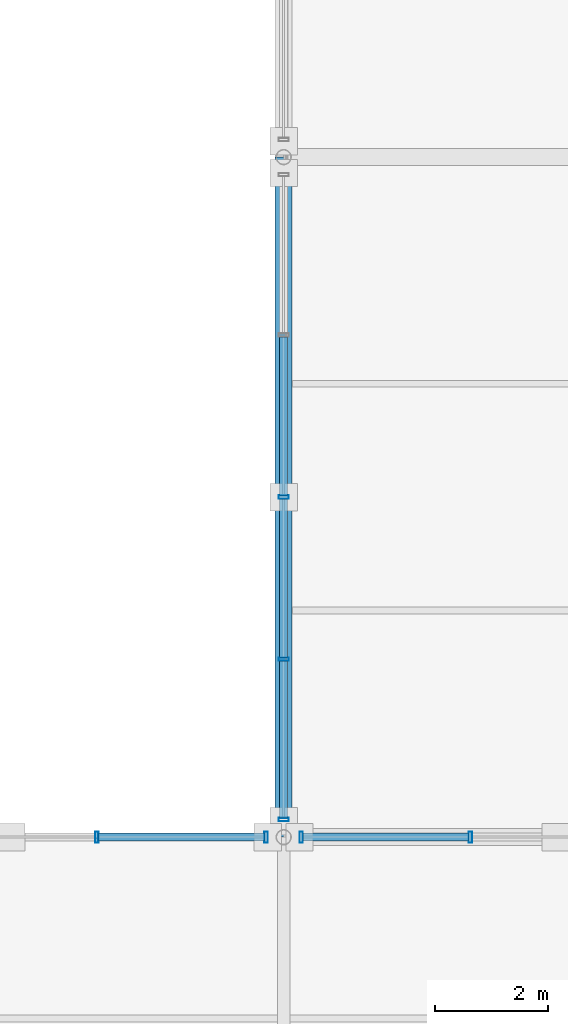
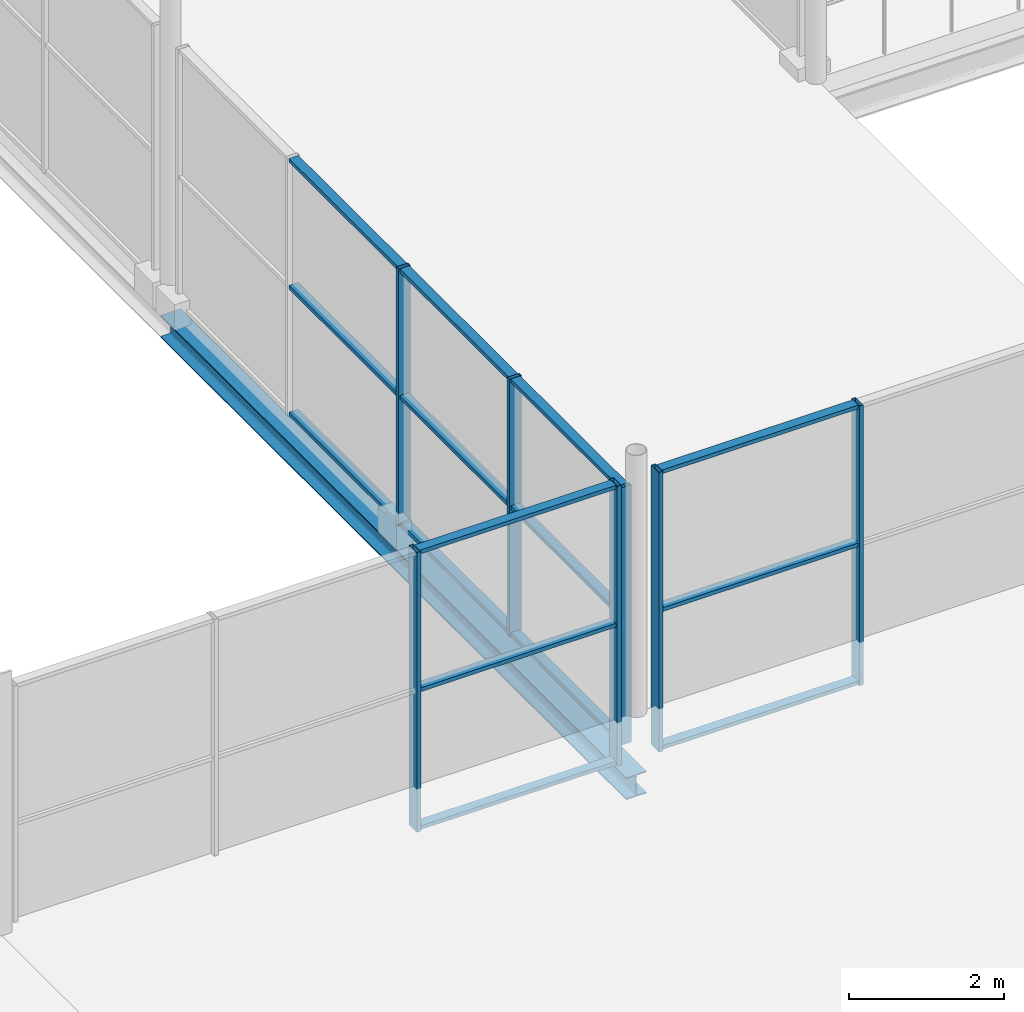
# One storey, part 44 of 159: 22 members, 1 beam, 3 elements without a shape of their own.
"""IFC4 building model written with IfcOpenShell, lengths in metres."""

from ifc_helpers import new_model, si_unit, direction, frame, origin, origin_2d, place, context, subcontext, project, spatial, hollow_rectangle, i_section, extrude, material, material_profile, profile_set, type_object, element, aggregate, save


model = new_model("IFC4")

# Units and contexts
model_context = context("Model", 3, precision=1e-05, world=origin(), true_north=direction((0.0, 1.0)))
body_context = subcontext(model_context, "Body", "Model", "MODEL_VIEW")
ifc_project = project(units=[si_unit("LENGTHUNIT", "METRE"), si_unit("AREAUNIT", "SQUARE_METRE"), si_unit("VOLUMEUNIT", "CUBIC_METRE"), si_unit("PLANEANGLEUNIT", "RADIAN"), si_unit("MASSUNIT", "GRAM", prefix="KILO")], contexts=[model_context])

# Site, building, storey
site_placement = place(None, origin())
site = spatial("IfcSite", under=ifc_project, at=site_placement, CompositionType="ELEMENT")
building_placement = place(site_placement, origin())
building = spatial("IfcBuilding", under=site, at=building_placement, Name="Merenkruunu Market Hall", CompositionType="ELEMENT")
storey_placement = place(building_placement, frame((0.0, 0.0, 5.39990234375)))
storey = spatial("IfcBuildingStorey", under=building, at=storey_placement, Name="L01", CompositionType="ELEMENT", Elevation=5.39990234375)

# Curtain wall, members
ifc_material_1 = material(Name="Powder-coated aluminium", Category="aluminium")
curtain_wall_type_1 = type_object("IfcCurtainWallType", Name="Glazed Curtain Wall CW16", PredefinedType="USERDEFINED", material=ifc_material_1)
curtain_wall_1_placement = place(storey_placement, origin())
curtain_wall_1 = element("IfcCurtainWall", 1, at=curtain_wall_1_placement, inside=storey, type_object=curtain_wall_type_1, Name="CW-L01-CWM02-169", ObjectType="GLAZED_FACADE", PredefinedType="USERDEFINED")
ifc_material_profile_1 = material_profile(ifc_material_1, hollow_rectangle(XDim=0.06005859375, YDim=0.179931640625, WallThickness=0.00390625, at=origin_2d()), Name="ALU 60x180x4")
ifc_profile_set_1 = profile_set([ifc_material_profile_1], Name="Powder-coated aluminium")
member_type_1 = type_object("IfcMemberType", Name="Curtain Wall Mullion CWM02", PredefinedType="MULLION", material=ifc_profile_set_1)
member_1_placement = place(storey_placement, frame((67.199951171875, 15.909912109375, 0.0), z_axis=(0.0, 0.0, 1.0), x_axis=(0.0, 1.0, 0.0)))
member_1 = element("IfcMember", 2, at=member_1_placement, type_object=member_type_1, Name="CW16 mullion 1", PredefinedType="MULLION", context=body_context, shape_type="SweptSolid", body=[
    extrude(hollow_rectangle(XDim=0.06005859375, YDim=0.179931640625, WallThickness=0.00390625, at=origin_2d()), origin(), (0.0, 0.0, 1.0), 4.050048828125),
])
member_2_placement = place(storey_placement, frame((67.199951171875, 18.739990234375, 0.0), z_axis=(0.0, 0.0, 1.0), x_axis=(0.0, 1.0, 0.0)))
member_2 = element("IfcMember", 3, at=member_2_placement, type_object=member_type_1, Name="CW16 mullion 2", PredefinedType="MULLION", context=body_context, shape_type="SweptSolid", body=[
    extrude(hollow_rectangle(XDim=0.06005859375, YDim=0.179931640625, WallThickness=0.00390625, at=origin_2d()), origin(), (0.0, 0.0, 1.0), 4.050048828125),
])
member_3_placement = place(storey_placement, frame((67.199951171875, 21.60009765625, 0.0), z_axis=(0.0, 0.0, 1.0), x_axis=(0.0, 1.0, 0.0)))
member_3 = element("IfcMember", 4, at=member_3_placement, type_object=member_type_1, Name="CW16 mullion 3", PredefinedType="MULLION", context=body_context, shape_type="SweptSolid", body=[
    extrude(hollow_rectangle(XDim=0.06005859375, YDim=0.179931640625, WallThickness=0.00390625, at=origin_2d()), origin(), (0.0, 0.0, 1.0), 4.050048828125),
])

curtain_wall_type_2 = type_object("IfcCurtainWallType", Name="Glazed Curtain Wall CW03", PredefinedType="USERDEFINED", material=ifc_material_1)
curtain_wall_2_placement = place(storey_placement, origin())
curtain_wall_2 = element("IfcCurtainWall", 5, at=curtain_wall_2_placement, inside=storey, type_object=curtain_wall_type_2, Name="CW-L01-CWM03-140", ObjectType="GLAZED_FACADE", PredefinedType="USERDEFINED")
ifc_material_profile_2 = material_profile(ifc_material_1, hollow_rectangle(XDim=0.06005859375, YDim=0.199951171875, WallThickness=0.0048828125, at=origin_2d()), Name="ALU 60x200x5")
ifc_profile_set_2 = profile_set([ifc_material_profile_2], Name="Powder-coated aluminium")
member_type_2 = type_object("IfcMemberType", Name="Curtain Wall Mullion CWM03", PredefinedType="MULLION", material=ifc_profile_set_2)
member_4_placement = place(storey_placement, frame((66.889892578125, 15.60009765625, 0.0), z_axis=(0.0, 0.0, 1.0), x_axis=(-1.0, 0.0, 0.0)))
member_4 = element("IfcMember", 6, at=member_4_placement, type_object=member_type_2, Name="CW03 mullion 1", PredefinedType="MULLION", context=body_context, shape_type="SweptSolid", body=[
    extrude(hollow_rectangle(XDim=0.06005859375, YDim=0.199951171875, WallThickness=0.0048828125, at=origin_2d()), origin(), (0.0, 0.0, 1.0), 4.400146484375),
])
member_5_placement = place(storey_placement, frame((63.90673828125, 15.60009765625, 0.0), z_axis=(0.0, 0.0, 1.0), x_axis=(-1.0, 0.0, 0.0)))
member_5 = element("IfcMember", 7, at=member_5_placement, type_object=member_type_2, Name="CW03 mullion 2", PredefinedType="MULLION", context=body_context, shape_type="SweptSolid", body=[
    extrude(hollow_rectangle(XDim=0.06005859375, YDim=0.199951171875, WallThickness=0.0048828125, at=origin_2d()), origin(), (0.0, 0.0, 1.0), 4.400146484375),
])

curtain_wall_3_placement = place(storey_placement, origin())
curtain_wall_3 = element("IfcCurtainWall", 8, at=curtain_wall_3_placement, inside=storey, type_object=curtain_wall_type_2, Name="CW-L01-CWM03-146", ObjectType="GLAZED_FACADE", PredefinedType="USERDEFINED")
member_6_placement = place(storey_placement, frame((70.493408203125, 15.60009765625, 0.0), z_axis=(0.0, 0.0, 1.0), x_axis=(-1.0, 0.0, 0.0)))
member_6 = element("IfcMember", 9, at=member_6_placement, type_object=member_type_2, Name="CW03 mullion 3", PredefinedType="MULLION", context=body_context, shape_type="SweptSolid", body=[
    extrude(hollow_rectangle(XDim=0.06005859375, YDim=0.199951171875, WallThickness=0.0048828125, at=origin_2d()), origin(), (0.0, 0.0, 1.0), 4.400146484375),
])
member_7_placement = place(storey_placement, frame((67.510009765625, 15.60009765625, 0.0), z_axis=(0.0, 0.0, 1.0), x_axis=(-1.0, 0.0, 0.0)))
member_7 = element("IfcMember", 10, at=member_7_placement, type_object=member_type_2, Name="CW03 mullion 4", PredefinedType="MULLION", context=body_context, shape_type="SweptSolid", body=[
    extrude(hollow_rectangle(XDim=0.06005859375, YDim=0.199951171875, WallThickness=0.0048828125, at=origin_2d()), origin(), (0.0, 0.0, 1.0), 4.400146484375),
])

# Member
ifc_material_profile_3 = material_profile(ifc_material_1, hollow_rectangle(XDim=0.06005859375, YDim=0.139892578125, WallThickness=0.00390625, at=origin_2d()), Name="ALU 60x140x4")
ifc_profile_set_3 = profile_set([ifc_material_profile_3], Name="Powder-coated aluminium")
member_type_3 = type_object("IfcMemberType", Name="Curtain Wall Transom CWT02", PredefinedType="USERDEFINED", material=ifc_profile_set_3)
member_8_placement = place(storey_placement, frame((66.860107421875, 15.60009765625, 0.030029296875), z_axis=(-1.0, 0.0, 0.0), x_axis=(0.0, 0.0, 1.0)))
member_8 = element("IfcMember", 11, at=member_8_placement, type_object=member_type_3, Name="CW03 transom 1.1", ObjectType="TRANSOM", PredefinedType="USERDEFINED", context=body_context, shape_type="SweptSolid", body=[
    extrude(hollow_rectangle(XDim=0.06005859375, YDim=0.139892578125, WallThickness=0.00390625, at=origin_2d()), origin(), (0.0, 0.0, 1.0), 2.92333984375),
])

member_9_placement = place(storey_placement, frame((66.860107421875, 15.60009765625, 2.2001953125), z_axis=(-1.0, 0.0, 0.0), x_axis=(0.0, 0.0, 1.0)))
member_9 = element("IfcMember", 12, at=member_9_placement, type_object=member_type_3, Name="CW03 transom 1.2", ObjectType="TRANSOM", PredefinedType="USERDEFINED", context=body_context, shape_type="SweptSolid", body=[
    extrude(hollow_rectangle(XDim=0.06005859375, YDim=0.139892578125, WallThickness=0.00390625, at=origin_2d()), origin(), (0.0, 0.0, 1.0), 2.92333984375),
])

member_10_placement = place(storey_placement, frame((66.860107421875, 15.60009765625, 4.3701171875), z_axis=(-1.0, 0.0, 0.0), x_axis=(0.0, 0.0, 1.0)))
member_10 = element("IfcMember", 13, at=member_10_placement, type_object=member_type_3, Name="CW03 transom 1.3", ObjectType="TRANSOM", PredefinedType="USERDEFINED", context=body_context, shape_type="SweptSolid", body=[
    extrude(hollow_rectangle(XDim=0.06005859375, YDim=0.139892578125, WallThickness=0.00390625, at=origin_2d()), origin(), (0.0, 0.0, 1.0), 2.92333984375),
])

aggregate(curtain_wall_2, [member_4, member_5, member_8, member_9, member_10])

member_11_placement = place(storey_placement, frame((70.46337890625, 15.60009765625, 0.030029296875), z_axis=(-1.0, 0.0, 0.0), x_axis=(0.0, 0.0, 1.0)))
member_11 = element("IfcMember", 14, at=member_11_placement, type_object=member_type_3, Name="CW03 transom 3.1", ObjectType="TRANSOM", PredefinedType="USERDEFINED", context=body_context, shape_type="SweptSolid", body=[
    extrude(hollow_rectangle(XDim=0.06005859375, YDim=0.139892578125, WallThickness=0.00390625, at=origin_2d()), origin(), (0.0, 0.0, 1.0), 2.92333984375),
])

member_12_placement = place(storey_placement, frame((70.46337890625, 15.60009765625, 2.2001953125), z_axis=(-1.0, 0.0, 0.0), x_axis=(0.0, 0.0, 1.0)))
member_12 = element("IfcMember", 15, at=member_12_placement, type_object=member_type_3, Name="CW03 transom 3.2", ObjectType="TRANSOM", PredefinedType="USERDEFINED", context=body_context, shape_type="SweptSolid", body=[
    extrude(hollow_rectangle(XDim=0.06005859375, YDim=0.139892578125, WallThickness=0.00390625, at=origin_2d()), origin(), (0.0, 0.0, 1.0), 2.92333984375),
])

member_13_placement = place(storey_placement, frame((70.46337890625, 15.60009765625, 4.3701171875), z_axis=(-1.0, 0.0, 0.0), x_axis=(0.0, 0.0, 1.0)))
member_13 = element("IfcMember", 16, at=member_13_placement, type_object=member_type_3, Name="CW03 transom 3.3", ObjectType="TRANSOM", PredefinedType="USERDEFINED", context=body_context, shape_type="SweptSolid", body=[
    extrude(hollow_rectangle(XDim=0.06005859375, YDim=0.139892578125, WallThickness=0.00390625, at=origin_2d()), origin(), (0.0, 0.0, 1.0), 2.92333984375),
])

aggregate(curtain_wall_3, [member_6, member_7, member_11, member_12, member_13])

member_14_placement = place(storey_placement, frame((67.199951171875, 15.93994140625, 0.030029296875), z_axis=(0.0, 1.0, 0.0), x_axis=(0.0, 0.0, 1.0)))
member_14 = element("IfcMember", 17, at=member_14_placement, type_object=member_type_3, Name="CW16 transom 1.1", ObjectType="TRANSOM", PredefinedType="USERDEFINED", context=body_context, shape_type="SweptSolid", body=[
    extrude(hollow_rectangle(XDim=0.06005859375, YDim=0.139892578125, WallThickness=0.00390625, at=origin_2d()), origin(), (0.0, 0.0, 1.0), 2.77001953125),
])

member_15_placement = place(storey_placement, frame((67.199951171875, 15.93994140625, 2.025146484375), z_axis=(0.0, 1.0, 0.0), x_axis=(0.0, 0.0, 1.0)))
member_15 = element("IfcMember", 18, at=member_15_placement, type_object=member_type_3, Name="CW16 transom 1.2", ObjectType="TRANSOM", PredefinedType="USERDEFINED", context=body_context, shape_type="SweptSolid", body=[
    extrude(hollow_rectangle(XDim=0.06005859375, YDim=0.139892578125, WallThickness=0.00390625, at=origin_2d()), origin(), (0.0, 0.0, 1.0), 2.77001953125),
])

member_16_placement = place(storey_placement, frame((67.199951171875, 15.93994140625, 4.02001953125), z_axis=(0.0, 1.0, 0.0), x_axis=(0.0, 0.0, 1.0)))
member_16 = element("IfcMember", 19, at=member_16_placement, type_object=member_type_3, Name="CW16 transom 1.3", ObjectType="TRANSOM", PredefinedType="USERDEFINED", context=body_context, shape_type="SweptSolid", body=[
    extrude(hollow_rectangle(XDim=0.06005859375, YDim=0.139892578125, WallThickness=0.00390625, at=origin_2d()), origin(), (0.0, 0.0, 1.0), 2.77001953125),
])

member_17_placement = place(storey_placement, frame((67.199951171875, 18.77001953125, 0.030029296875), z_axis=(0.0, 1.0, 0.0), x_axis=(0.0, 0.0, 1.0)))
member_17 = element("IfcMember", 20, at=member_17_placement, type_object=member_type_3, Name="CW16 transom 2.1", ObjectType="TRANSOM", PredefinedType="USERDEFINED", context=body_context, shape_type="SweptSolid", body=[
    extrude(hollow_rectangle(XDim=0.06005859375, YDim=0.139892578125, WallThickness=0.00390625, at=origin_2d()), origin(), (0.0, 0.0, 1.0), 2.800048828125),
])

member_18_placement = place(storey_placement, frame((67.199951171875, 18.77001953125, 2.025146484375), z_axis=(0.0, 1.0, 0.0), x_axis=(0.0, 0.0, 1.0)))
member_18 = element("IfcMember", 21, at=member_18_placement, type_object=member_type_3, Name="CW16 transom 2.2", ObjectType="TRANSOM", PredefinedType="USERDEFINED", context=body_context, shape_type="SweptSolid", body=[
    extrude(hollow_rectangle(XDim=0.06005859375, YDim=0.139892578125, WallThickness=0.00390625, at=origin_2d()), origin(), (0.0, 0.0, 1.0), 2.800048828125),
])

member_19_placement = place(storey_placement, frame((67.199951171875, 18.77001953125, 4.02001953125), z_axis=(0.0, 1.0, 0.0), x_axis=(0.0, 0.0, 1.0)))
member_19 = element("IfcMember", 22, at=member_19_placement, type_object=member_type_3, Name="CW16 transom 2.3", ObjectType="TRANSOM", PredefinedType="USERDEFINED", context=body_context, shape_type="SweptSolid", body=[
    extrude(hollow_rectangle(XDim=0.06005859375, YDim=0.139892578125, WallThickness=0.00390625, at=origin_2d()), origin(), (0.0, 0.0, 1.0), 2.800048828125),
])

member_20_placement = place(storey_placement, frame((67.199951171875, 21.6298828125, 0.030029296875), z_axis=(0.0, 1.0, 0.0), x_axis=(0.0, 0.0, 1.0)))
member_20 = element("IfcMember", 23, at=member_20_placement, type_object=member_type_3, Name="CW16 transom 3.1", ObjectType="TRANSOM", PredefinedType="USERDEFINED", context=body_context, shape_type="SweptSolid", body=[
    extrude(hollow_rectangle(XDim=0.06005859375, YDim=0.139892578125, WallThickness=0.00390625, at=origin_2d()), origin(), (0.0, 0.0, 1.0), 2.800048828125),
])

member_21_placement = place(storey_placement, frame((67.199951171875, 21.6298828125, 2.025146484375), z_axis=(0.0, 1.0, 0.0), x_axis=(0.0, 0.0, 1.0)))
member_21 = element("IfcMember", 24, at=member_21_placement, type_object=member_type_3, Name="CW16 transom 3.2", ObjectType="TRANSOM", PredefinedType="USERDEFINED", context=body_context, shape_type="SweptSolid", body=[
    extrude(hollow_rectangle(XDim=0.06005859375, YDim=0.139892578125, WallThickness=0.00390625, at=origin_2d()), origin(), (0.0, 0.0, 1.0), 2.800048828125),
])

member_22_placement = place(storey_placement, frame((67.199951171875, 21.6298828125, 4.02001953125), z_axis=(0.0, 1.0, 0.0), x_axis=(0.0, 0.0, 1.0)))
member_22 = element("IfcMember", 25, at=member_22_placement, type_object=member_type_3, Name="CW16 transom 3.3", ObjectType="TRANSOM", PredefinedType="USERDEFINED", context=body_context, shape_type="SweptSolid", body=[
    extrude(hollow_rectangle(XDim=0.06005859375, YDim=0.139892578125, WallThickness=0.00390625, at=origin_2d()), origin(), (0.0, 0.0, 1.0), 2.800048828125),
])

aggregate(curtain_wall_1, [member_1, member_2, member_3, member_14, member_15, member_16, member_17, member_18, member_19, member_20, member_21, member_22])

# Beam
ifc_material_2 = material(Name="Steel S355J2", Category="steel")
ifc_material_profile_4 = material_profile(ifc_material_2, i_section(OverallWidth=0.300048828125, OverallDepth=0.35009765625, WebThickness=0.010009765625, FlangeThickness=0.017578125, FilletRadius=0.027099609375, at=origin_2d()), Name="HEA 360")
ifc_profile_set_4 = profile_set([ifc_material_profile_4], Name="Steel S355J2")
beam_type = type_object("IfcBeamType", Name="Primary Floor Girder B08", PredefinedType="BEAM", material=ifc_profile_set_4)
beam_placement = place(storey_placement, frame((67.199951171875, 15.60009765625, -0.48486328125), z_axis=(0.0, 1.0, 0.0), x_axis=(-1.0, 0.0, 0.0)))
element("IfcBeam", 26, at=beam_placement, inside=storey, type_object=beam_type, Name="BM-L01-B08-0589", PredefinedType="BEAM", context=body_context, shape_type="SweptSolid", body=[
    extrude(i_section(OverallWidth=0.300048828125, OverallDepth=0.35009765625, WebThickness=0.010009765625, FlangeThickness=0.017578125, FilletRadius=0.027099609375, at=origin_2d()), origin(), (0.0, 0.0, 1.0), 12.0),
])

save(model, "model.ifc")
